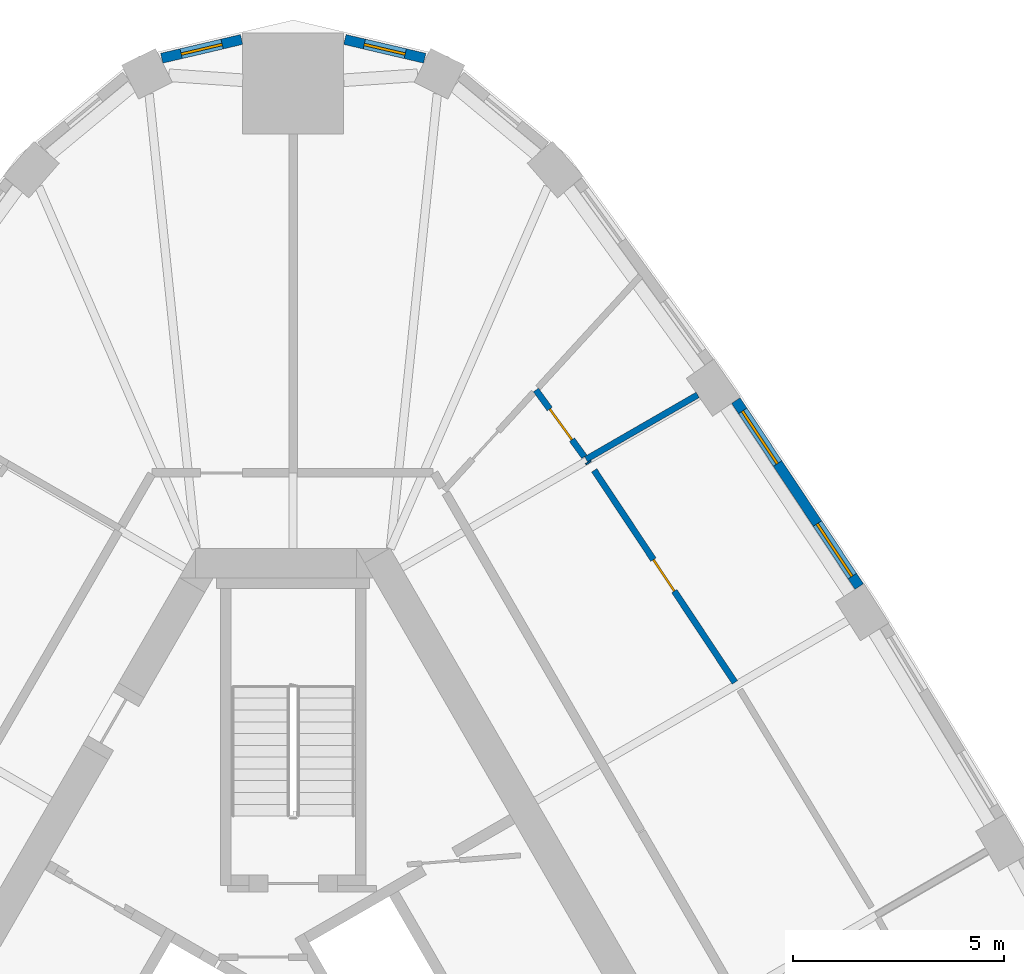
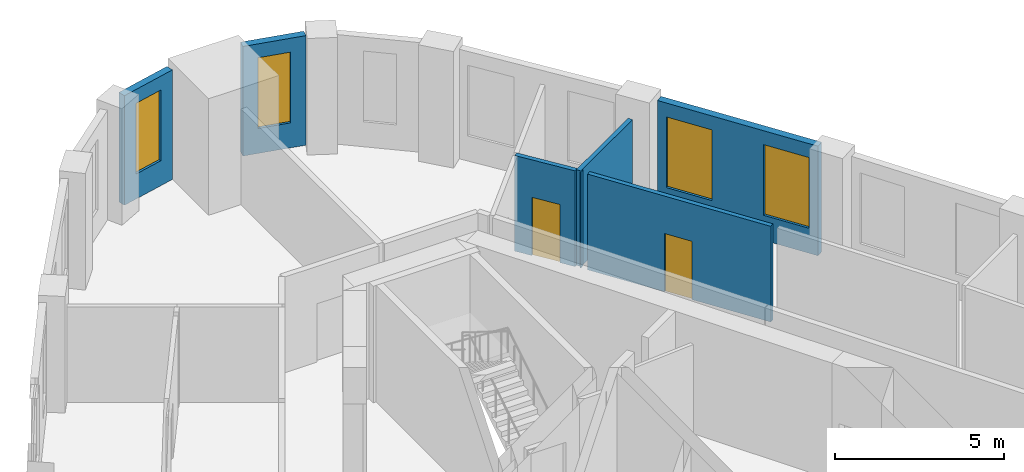
# One storey, part 9 of 11: 7 walls, 4 windows, 2 doors, 6 openings.
"""IFC4 building model written with IfcOpenShell, lengths in metres."""

from ifc_helpers import new_model, si_unit, direction, frame, frame_2d, origin, place, context, subcontext, project, spatial, rectangle, extrude, material, layer, layer_set, type_object, element, fill, save


model = new_model("IFC4")

# Units and contexts
model_context = context("Model", 3, precision=1e-05, world=origin(), true_north=direction((0.0, 1.0)))
body_context = subcontext(model_context, "Body", "Model", "MODEL_VIEW")
ifc_project = project(units=[si_unit("LENGTHUNIT", "METRE"), si_unit("AREAUNIT", "SQUARE_METRE"), si_unit("VOLUMEUNIT", "CUBIC_METRE"), si_unit("PLANEANGLEUNIT", "RADIAN"), si_unit("MASSUNIT", "GRAM", prefix="KILO")], contexts=[model_context])

# Site, building, storey
site_placement = place(None, origin())
site = spatial("IfcSite", under=ifc_project, at=site_placement, CompositionType="ELEMENT")
building_placement = place(site_placement, origin())
building = spatial("IfcBuilding", under=site, at=building_placement, Name="Mestral Congress Tower", CompositionType="ELEMENT")
storey_placement = place(building_placement, frame((0.0, 0.0, 210.0)))
storey = spatial("IfcBuildingStorey", under=building, at=storey_placement, Name="L49", CompositionType="ELEMENT", Elevation=210.0)

# Wall, openings, windows
ifc_material_1 = material(Name="Precast concrete C40/50 with limestone facing", Category="masonry")
ifc_layer_1 = layer(ifc_material_1, 0.239990234375)
ifc_layer_set_1 = layer_set([ifc_layer_1], Name="Precast concrete C40/50 with limestone facing")
wall_type_1 = type_object("IfcWallType", Name="Facade stone wall 240", PredefinedType="SOLIDWALL", material=ifc_layer_set_1)
wall_1_placement = place(storey_placement, frame((13.442138671875, 15.803466796875, 0.0), z_axis=(0.0, 0.0, 1.0), x_axis=(-0.552901821755, 0.833246407433, 0.0)))
wall_1 = element("IfcWall", 1, at=wall_1_placement, inside=storey, type_object=wall_type_1, Name="Facade wall F1-04", PredefinedType="SOLIDWALL", context=body_context, shape_type="SweptSolid", body=[
    extrude(rectangle(XDim=5.29833984375, YDim=0.239990234375, at=frame_2d((2.649169921875, 0.0))), origin(), (0.0, 0.0, 1.0), 3.949951171875),
])
opening_1_placement = place(wall_1_placement, frame((0.294677734375, 0.0, 0.89990234375)))
opening_1 = element("IfcOpeningElement", 2, at=opening_1_placement, cuts=wall_1, Name="Opening W4", PredefinedType="OPENING", context=body_context, shape_type="SweptSolid", body=[
    extrude(rectangle(XDim=1.5, YDim=2.550048828125, at=frame_2d((0.75, 1.27490234375))), frame((0.0, 0.1298828125, 0.0), z_axis=(0.0, -1.0, 0.0), x_axis=(1.0, 0.0, 0.0)), (0.0, 0.0, 1.0), 0.260009765625),
])
opening_2_placement = place(wall_1_placement, frame((3.50390625, 0.0, 0.89990234375)))
opening_2 = element("IfcOpeningElement", 3, at=opening_2_placement, cuts=wall_1, Name="Opening W4", PredefinedType="OPENING", context=body_context, shape_type="SweptSolid", body=[
    extrude(rectangle(XDim=1.5, YDim=2.550048828125, at=frame_2d((0.75, 1.27490234375))), frame((0.0, 0.1298828125, 0.0), z_axis=(0.0, -1.0, 0.0), x_axis=(1.0, 0.0, 0.0)), (0.0, 0.0, 1.0), 0.260009765625),
])
ifc_material_2 = material(Name="Clear low-emissivity double glazing", Category="glass")
window_type_1 = type_object("IfcWindowType", Name="Facade punched window 1500 x 2550 sill 900", PartitioningType="SINGLE_PANEL", PredefinedType="WINDOW", material=ifc_material_2)
window_1_placement = place(opening_1_placement, origin())
window_1 = element("IfcWindow", 4, at=window_1_placement, inside=storey, type_object=window_type_1, Name="Window F1-04a", OverallHeight=2.550048828125, OverallWidth=1.5, PartitioningType="SINGLE_PANEL", PredefinedType="WINDOW", context=body_context, shape_type="SweptSolid", body=[
    extrude(rectangle(XDim=1.5, YDim=2.550048828125, at=frame_2d((0.75, 1.27490234375))), frame((0.0, 0.0400390625, 0.0), z_axis=(0.0, -1.0, 0.0), x_axis=(1.0, 0.0, 0.0)), (0.0, 0.0, 1.0), 0.06005859375),
])
fill(opening_1, window_1)
window_2_placement = place(opening_2_placement, origin())
window_2 = element("IfcWindow", 5, at=window_2_placement, inside=storey, type_object=window_type_1, Name="Window F1-04b", OverallHeight=2.550048828125, OverallWidth=1.5, PartitioningType="SINGLE_PANEL", PredefinedType="WINDOW", context=body_context, shape_type="SweptSolid", body=[
    extrude(rectangle(XDim=1.5, YDim=2.550048828125, at=frame_2d((0.75, 1.27490234375))), frame((0.0, 0.0400390625, 0.0), z_axis=(0.0, -1.0, 0.0), x_axis=(1.0, 0.0, 0.0)), (0.0, 0.0, 1.0), 0.06005859375),
])
fill(opening_2, window_2)

# Wall, opening, window
wall_2_placement = place(storey_placement, frame((3.123046875, 28.3486328125, 0.0), z_axis=(0.0, 0.0, 1.0), x_axis=(-0.973515706272, 0.228620142686, 0.0)))
wall_2 = element("IfcWall", 6, at=wall_2_placement, inside=storey, type_object=wall_type_1, Name="Facade wall K1-1", PredefinedType="SOLIDWALL", context=body_context, shape_type="SweptSolid", body=[
    extrude(rectangle(XDim=1.94775390625, YDim=0.239990234375, at=frame_2d((0.973876953125, 0.0))), origin(), (0.0, 0.0, 1.0), 3.949951171875),
])
opening_3_placement = place(wall_2_placement, frame((0.47412109375, 0.0, 0.89990234375)))
opening_3 = element("IfcOpeningElement", 7, at=opening_3_placement, cuts=wall_2, Name="Opening W5", PredefinedType="OPENING", context=body_context, shape_type="SweptSolid", body=[
    extrude(rectangle(XDim=1.0, YDim=2.550048828125, at=frame_2d((0.5, 1.27490234375))), frame((0.0, 0.1298828125, 0.0), z_axis=(0.0, -1.0, 0.0), x_axis=(1.0, 0.0, 0.0)), (0.0, 0.0, 1.0), 0.260009765625),
])
window_type_2 = type_object("IfcWindowType", Name="Facade punched window 1000 x 2550 sill 900", PartitioningType="SINGLE_PANEL", PredefinedType="WINDOW", material=ifc_material_2)
window_3_placement = place(opening_3_placement, origin())
window_3 = element("IfcWindow", 8, at=window_3_placement, inside=storey, type_object=window_type_2, Name="Window K1-1", OverallHeight=2.550048828125, OverallWidth=1.0, PartitioningType="SINGLE_PANEL", PredefinedType="WINDOW", context=body_context, shape_type="SweptSolid", body=[
    extrude(rectangle(XDim=1.0, YDim=2.550048828125, at=frame_2d((0.5, 1.27490234375))), frame((0.0, 0.0400390625, 0.0), z_axis=(0.0, -1.0, 0.0), x_axis=(1.0, 0.0, 0.0)), (0.0, 0.0, 1.0), 0.06005859375),
])
fill(opening_3, window_3)

wall_3_placement = place(storey_placement, frame((-1.226806640625, 28.7939453125, 0.0), z_axis=(0.0, 0.0, 1.0), x_axis=(-0.973515706272, -0.228620142686, 0.0)))
wall_3 = element("IfcWall", 9, at=wall_3_placement, inside=storey, type_object=wall_type_1, Name="Facade wall K1-2", PredefinedType="SOLIDWALL", context=body_context, shape_type="SweptSolid", body=[
    extrude(rectangle(XDim=1.94775390625, YDim=0.239990234375, at=frame_2d((0.973876953125, 0.0))), origin(), (0.0, 0.0, 1.0), 3.949951171875),
])
opening_4_placement = place(wall_3_placement, frame((0.47412109375, 0.0, 0.89990234375)))
opening_4 = element("IfcOpeningElement", 10, at=opening_4_placement, cuts=wall_3, Name="Opening W5", PredefinedType="OPENING", context=body_context, shape_type="SweptSolid", body=[
    extrude(rectangle(XDim=1.0, YDim=2.550048828125, at=frame_2d((0.5, 1.27490234375))), frame((0.0, 0.1298828125, 0.0), z_axis=(0.0, -1.0, 0.0), x_axis=(1.0, 0.0, 0.0)), (0.0, 0.0, 1.0), 0.260009765625),
])
window_4_placement = place(opening_4_placement, origin())
window_4 = element("IfcWindow", 11, at=window_4_placement, inside=storey, type_object=window_type_2, Name="Window K1-2", OverallHeight=2.550048828125, OverallWidth=1.0, PartitioningType="SINGLE_PANEL", PredefinedType="WINDOW", context=body_context, shape_type="SweptSolid", body=[
    extrude(rectangle(XDim=1.0, YDim=2.550048828125, at=frame_2d((0.5, 1.27490234375))), frame((0.0, 0.0400390625, 0.0), z_axis=(0.0, -1.0, 0.0), x_axis=(1.0, 0.0, 0.0)), (0.0, 0.0, 1.0), 0.06005859375),
])
fill(opening_4, window_4)

# Wall
ifc_material_3 = material(Name="Plasterboard partition on steel studs", Category="steel")
ifc_layer_2 = layer(ifc_material_3, 0.14990234375)
ifc_layer_set_2 = layer_set([ifc_layer_2], Name="Plasterboard partition on steel studs")
wall_type_2 = type_object("IfcWallType", Name="Office partition 150", PredefinedType="PARTITIONING", material=ifc_layer_set_2)
wall_4_placement = place(storey_placement, frame((6.957763671875, 18.8232421875, 0.0), z_axis=(0.0, 0.0, 1.0), x_axis=(0.866008752819, 0.500028839209, 0.0)))
element("IfcWall", 12, at=wall_4_placement, inside=storey, type_object=wall_type_2, Name="Partition", PredefinedType="PARTITIONING", context=body_context, shape_type="SweptSolid", body=[
    extrude(rectangle(XDim=3.057861328125, YDim=0.14990234375, at=frame_2d((1.52880859375, 0.0))), origin(), (0.0, 0.0, 1.0), 3.449951171875),
])

# Wall, opening, door
wall_5_placement = place(storey_placement, frame((7.148193359375, 18.560791015625, 0.0), z_axis=(0.0, 0.0, 1.0), x_axis=(0.552890023891, -0.833254235802, 0.0)))
wall_5 = element("IfcWall", 13, at=wall_5_placement, inside=storey, type_object=wall_type_2, Name="Partition", PredefinedType="PARTITIONING", context=body_context, shape_type="SweptSolid", body=[
    extrude(rectangle(XDim=6.04248046875, YDim=0.14990234375, at=frame_2d((3.021240234375, 0.0))), origin(), (0.0, 0.0, 1.0), 3.449951171875),
])
opening_5_placement = place(wall_5_placement, frame((2.54248046875, 0.0, 0.0)))
opening_5 = element("IfcOpeningElement", 14, at=opening_5_placement, cuts=wall_5, Name="Opening O06-007", PredefinedType="OPENING", context=body_context, shape_type="SweptSolid", body=[
    extrude(rectangle(XDim=0.89990234375, YDim=2.10009765625, at=frame_2d((0.449951171875, 1.050048828125))), frame((0.0, 0.0849609375, 0.0), z_axis=(0.0, -1.0, 0.0), x_axis=(1.0, 0.0, 0.0)), (0.0, 0.0, 1.0), 0.169921875),
])
ifc_material_4 = material(Name="Timber door set", Category="wood")
door_type = type_object("IfcDoorType", Name="Office door 900x2100", OperationType="SINGLE_SWING_LEFT", PredefinedType="DOOR", material=ifc_material_4)
door_1_placement = place(opening_5_placement, origin())
door_1 = element("IfcDoor", 15, at=door_1_placement, inside=storey, type_object=door_type, Name="Door O06-007", OperationType="SINGLE_SWING_LEFT", OverallHeight=2.10009765625, OverallWidth=0.89990234375, PredefinedType="DOOR", context=body_context, shape_type="SweptSolid", body=[
    extrude(rectangle(XDim=0.89990234375, YDim=2.10009765625, at=frame_2d((0.449951171875, 1.050048828125))), frame((0.0, 0.02490234375, 0.0), z_axis=(0.0, -1.0, 0.0), x_axis=(1.0, 0.0, 0.0)), (0.0, 0.0, 1.0), 0.050048828125),
])
fill(opening_5, door_1)

# Wall
wall_6_placement = place(storey_placement, frame((7.022216796875, 18.734130859375, 0.0), z_axis=(0.0, 0.0, 1.0), x_axis=(-0.585233084123, 0.810865116556, 0.0)))
element("IfcWall", 16, at=wall_6_placement, inside=storey, type_object=wall_type_2, Name="Partition", PredefinedType="PARTITIONING", context=body_context, shape_type="SweptSolid", body=[
    extrude(rectangle(XDim=0.03466796875, YDim=0.14990234375, at=frame_2d((0.017333984375, 0.0))), origin(), (0.0, 0.0, 1.0), 3.449951171875),
])

# Wall, opening, door
wall_7_placement = place(storey_placement, frame((5.764404296875, 20.46923828125, 0.0), z_axis=(0.0, 0.0, 1.0), x_axis=(0.586969615341, -0.809608961577, 0.0)))
wall_7 = element("IfcWall", 17, at=wall_7_placement, inside=storey, type_object=wall_type_2, Name="Partition", PredefinedType="PARTITIONING", context=body_context, shape_type="SweptSolid", body=[
    extrude(rectangle(XDim=1.957275390625, YDim=0.14990234375, at=frame_2d((0.978515625, 0.0))), origin(), (0.0, 0.0, 1.0), 3.449951171875),
])
opening_6_placement = place(wall_7_placement, frame((0.5576171875, 0.0, 0.0)))
opening_6 = element("IfcOpeningElement", 18, at=opening_6_placement, cuts=wall_7, Name="Opening O06-008", PredefinedType="OPENING", context=body_context, shape_type="SweptSolid", body=[
    extrude(rectangle(XDim=0.89990234375, YDim=2.10009765625, at=frame_2d((0.449951171875, 1.050048828125))), frame((0.0, 0.0849609375, 0.0), z_axis=(0.0, -1.0, 0.0), x_axis=(1.0, 0.0, 0.0)), (0.0, 0.0, 1.0), 0.169921875),
])
door_2_placement = place(opening_6_placement, origin())
door_2 = element("IfcDoor", 19, at=door_2_placement, inside=storey, type_object=door_type, Name="Door O06-008", OperationType="SINGLE_SWING_RIGHT", OverallHeight=2.10009765625, OverallWidth=0.89990234375, PredefinedType="DOOR", context=body_context, shape_type="SweptSolid", body=[
    extrude(rectangle(XDim=0.89990234375, YDim=2.10009765625, at=frame_2d((0.449951171875, 1.050048828125))), frame((0.0, 0.02490234375, 0.0), z_axis=(0.0, -1.0, 0.0), x_axis=(1.0, 0.0, 0.0)), (0.0, 0.0, 1.0), 0.050048828125),
])
fill(opening_6, door_2)

save(model, "model.ifc")
